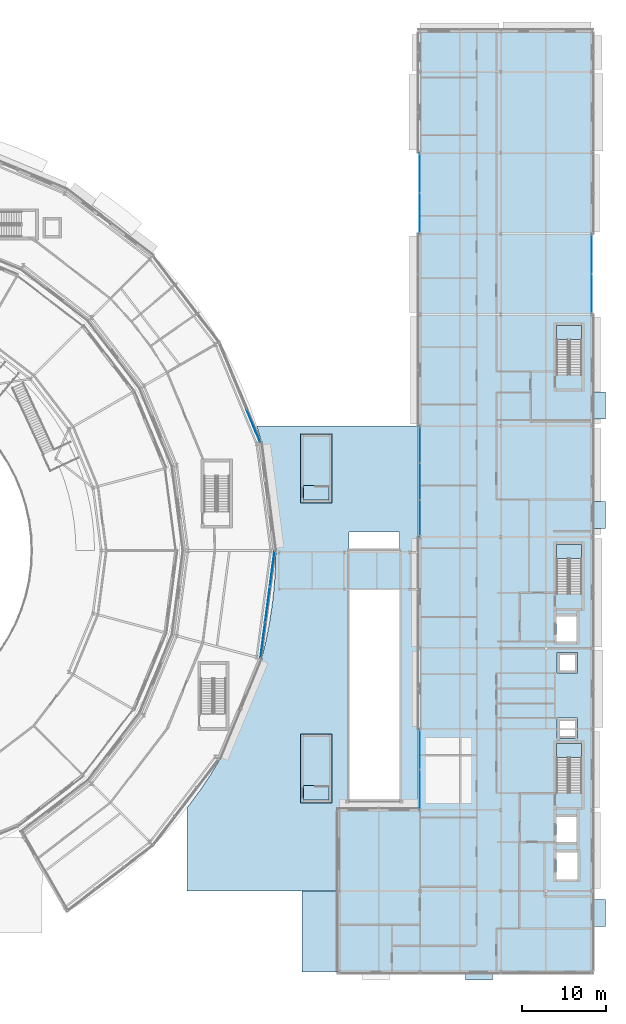
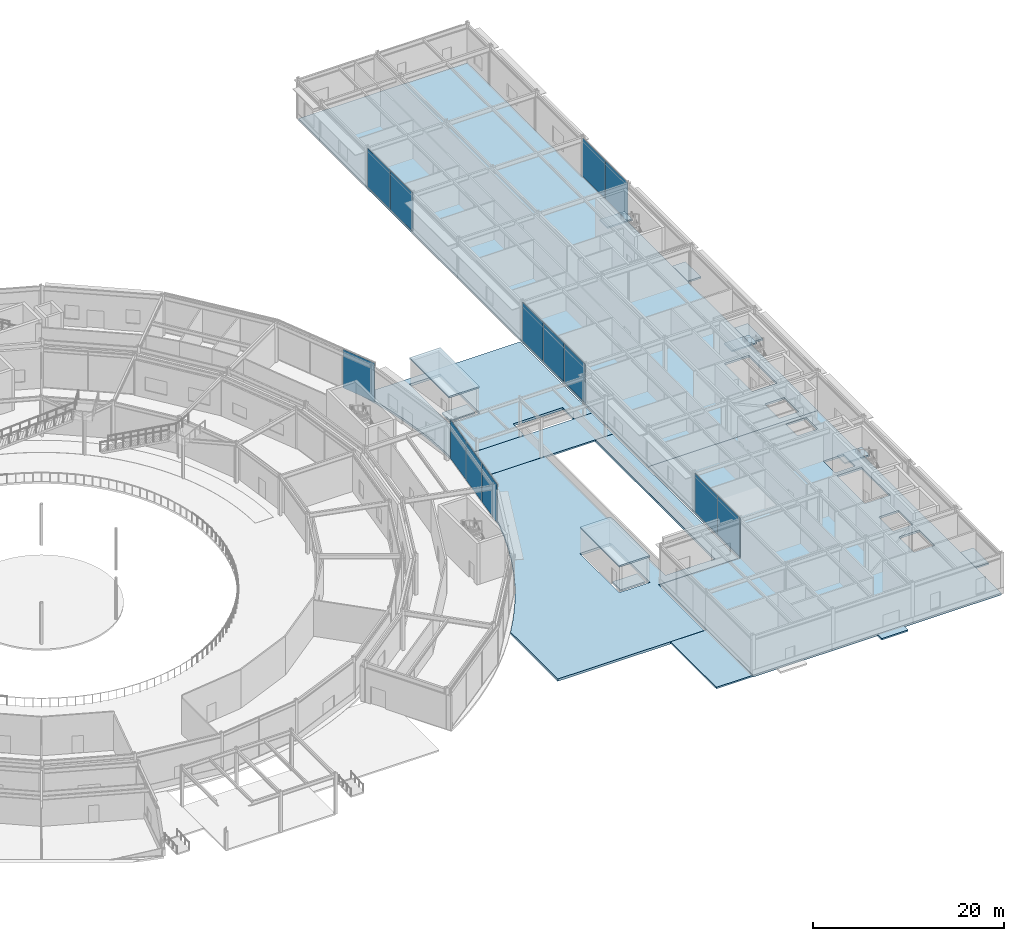
# One storey, part 114 of 168: 16 slabs, 13 plates, 9 elements without a shape of their own.
"""IFC4 building model written with IfcOpenShell, lengths in metres."""

from ifc_helpers import new_model, si_unit, direction, frame, origin, origin_2d, place, context, subcontext, project, spatial, polyline, rectangle, outline, extrude, material, layer, layer_set, type_object, element, aggregate, save


model = new_model("IFC4")

# Units and contexts
model_context = context("Model", 3, precision=1e-05, world=origin(), true_north=direction((0.0, 1.0)))
body_context = subcontext(model_context, "Body", "Model", "MODEL_VIEW")
ifc_project = project(units=[si_unit("LENGTHUNIT", "METRE"), si_unit("AREAUNIT", "SQUARE_METRE"), si_unit("VOLUMEUNIT", "CUBIC_METRE"), si_unit("PLANEANGLEUNIT", "RADIAN"), si_unit("MASSUNIT", "GRAM", prefix="KILO")], contexts=[model_context])

# Site, building, storey
site_placement = place(None, origin())
site = spatial("IfcSite", under=ifc_project, at=site_placement, CompositionType="ELEMENT")
building_placement = place(site_placement, origin())
building = spatial("IfcBuilding", under=site, at=building_placement, Name="Almandine Court Research Institute", CompositionType="ELEMENT")
storey_placement = place(building_placement, origin())
storey = spatial("IfcBuildingStorey", under=building, at=storey_placement, Name="L00", CompositionType="ELEMENT", Elevation=0.0)

# Curtain wall, plates
ifc_material_1 = material(Name="Unitised Curtain Wall Framing and Solar Glazing", Category="glass")
curtain_wall_type_1 = type_object("IfcCurtainWallType", Name="CW-CWJ-13", PredefinedType="USERDEFINED", material=ifc_material_1)
curtain_wall_1_placement = place(storey_placement, origin())
curtain_wall_1 = element("IfcCurtainWall", 1, at=curtain_wall_1_placement, inside=storey, type_object=curtain_wall_type_1, Name="L00 Wet Lab West Courtyard Jali Curtain Wall 1", ObjectType="SOLAR JALI SCREEN", PredefinedType="USERDEFINED")
ifc_material_2 = material(Name="Perforated Ochre Terracotta Jali Solar Cassette", Category="masonry")
ifc_layer_1 = layer(ifc_material_2, 0.035888671875)
ifc_layer_set_1 = layer_set([ifc_layer_1], Name="Perforated Ochre Terracotta Jali Solar Cassette")
plate_type = type_object("IfcPlateType", Name="CWPnl-JALI-36", PredefinedType="CURTAIN_PANEL", material=ifc_layer_set_1)
plate_1_placement = place(storey_placement, frame((153.60009765625, 27.6181640625, 0.06494140625), z_axis=(0.0, 0.0, 1.0), x_axis=(0.0, 1.0, 0.0)))
plate_1 = element("IfcPlate", 2, at=plate_1_placement, type_object=plate_type, Name="CWJ-13 panel 1.1", PredefinedType="CURTAIN_PANEL", context=body_context, shape_type="SweptSolid", body=[
    extrude(rectangle(XDim=4.698486328125, YDim=0.035888671875, at=origin_2d()), origin(), (0.0, 0.0, 1.0), 4.93994140625),
])
plate_2_placement = place(storey_placement, frame((153.60009765625, 32.3818359375, 0.06494140625), z_axis=(0.0, 0.0, 1.0), x_axis=(0.0, 1.0, 0.0)))
plate_2 = element("IfcPlate", 3, at=plate_2_placement, type_object=plate_type, Name="CWJ-13 panel 2.1", PredefinedType="CURTAIN_PANEL", context=body_context, shape_type="SweptSolid", body=[
    extrude(rectangle(XDim=4.698486328125, YDim=0.035888671875, at=origin_2d()), origin(), (0.0, 0.0, 1.0), 4.93994140625),
])
aggregate(curtain_wall_1, [plate_1, plate_2])

curtain_wall_type_2 = type_object("IfcCurtainWallType", Name="CW-CWJ-14", PredefinedType="USERDEFINED", material=ifc_material_1)
curtain_wall_2_placement = place(storey_placement, origin())
curtain_wall_2 = element("IfcCurtainWall", 4, at=curtain_wall_2_placement, inside=storey, type_object=curtain_wall_type_2, Name="L00 Wet Lab West Courtyard Jali Curtain Wall 4", ObjectType="SOLAR JALI SCREEN", PredefinedType="USERDEFINED")
plate_3_placement = place(storey_placement, frame((153.60009765625, 59.81884765625, 0.06494140625), z_axis=(0.0, 0.0, 1.0), x_axis=(0.0, 1.0, 0.0)))
plate_3 = element("IfcPlate", 5, at=plate_3_placement, type_object=plate_type, Name="CWJ-14 panel 1.1", PredefinedType="CURTAIN_PANEL", context=body_context, shape_type="SweptSolid", body=[
    extrude(rectangle(XDim=4.2998046875, YDim=0.035888671875, at=origin_2d()), origin(), (0.0, 0.0, 1.0), 4.93994140625),
])
plate_4_placement = place(storey_placement, frame((153.60009765625, 64.199951171875, 0.06494140625), z_axis=(0.0, 0.0, 1.0), x_axis=(0.0, 1.0, 0.0)))
plate_4 = element("IfcPlate", 6, at=plate_4_placement, type_object=plate_type, Name="CWJ-14 panel 2.1", PredefinedType="CURTAIN_PANEL", context=body_context, shape_type="SweptSolid", body=[
    extrude(rectangle(XDim=4.332275390625, YDim=0.035888671875, at=origin_2d()), origin(), (0.0, 0.0, 1.0), 4.93994140625),
])
plate_5_placement = place(storey_placement, frame((153.60009765625, 68.5810546875, 0.06494140625), z_axis=(0.0, 0.0, 1.0), x_axis=(0.0, 1.0, 0.0)))
plate_5 = element("IfcPlate", 7, at=plate_5_placement, type_object=plate_type, Name="CWJ-14 panel 3.1", PredefinedType="CURTAIN_PANEL", context=body_context, shape_type="SweptSolid", body=[
    extrude(rectangle(XDim=4.2998046875, YDim=0.035888671875, at=origin_2d()), origin(), (0.0, 0.0, 1.0), 4.93994140625),
])
aggregate(curtain_wall_2, [plate_3, plate_4, plate_5])

curtain_wall_3_placement = place(storey_placement, origin())
curtain_wall_3 = element("IfcCurtainWall", 8, at=curtain_wall_3_placement, inside=storey, type_object=curtain_wall_type_1, Name="L00 Wet Lab West Courtyard Jali Curtain Wall 7", ObjectType="SOLAR JALI SCREEN", PredefinedType="USERDEFINED")
plate_6_placement = place(storey_placement, frame((153.60009765625, 96.018310546875, 0.06494140625), z_axis=(0.0, 0.0, 1.0), x_axis=(0.0, 1.0, 0.0)))
plate_6 = element("IfcPlate", 9, at=plate_6_placement, type_object=plate_type, Name="CWJ-13 panel 1.1", PredefinedType="CURTAIN_PANEL", context=body_context, shape_type="SweptSolid", body=[
    extrude(rectangle(XDim=4.698486328125, YDim=0.035888671875, at=origin_2d()), origin(), (0.0, 0.0, 1.0), 4.93994140625),
])
plate_7_placement = place(storey_placement, frame((153.60009765625, 100.78173828125, 0.06494140625), z_axis=(0.0, 0.0, 1.0), x_axis=(0.0, 1.0, 0.0)))
plate_7 = element("IfcPlate", 10, at=plate_7_placement, type_object=plate_type, Name="CWJ-13 panel 2.1", PredefinedType="CURTAIN_PANEL", context=body_context, shape_type="SweptSolid", body=[
    extrude(rectangle(XDim=4.698486328125, YDim=0.035888671875, at=origin_2d()), origin(), (0.0, 0.0, 1.0), 4.93994140625),
])
aggregate(curtain_wall_3, [plate_6, plate_7])

curtain_wall_4_placement = place(storey_placement, origin())
curtain_wall_4 = element("IfcCurtainWall", 11, at=curtain_wall_4_placement, inside=storey, type_object=curtain_wall_type_1, Name="L00 Wet Lab East Jali Curtain Wall 8", ObjectType="SOLAR JALI SCREEN", PredefinedType="USERDEFINED")
plate_8_placement = place(storey_placement, frame((174.0, 91.181640625, 0.06494140625), z_axis=(0.0, 0.0, 1.0), x_axis=(0.0, -1.0, 0.0)))
plate_8 = element("IfcPlate", 12, at=plate_8_placement, type_object=plate_type, Name="CWJ-13 panel 1.1", PredefinedType="CURTAIN_PANEL", context=body_context, shape_type="SweptSolid", body=[
    extrude(rectangle(XDim=4.698486328125, YDim=0.035888671875, at=origin_2d()), origin(), (0.0, 0.0, 1.0), 4.93994140625),
])
plate_9_placement = place(storey_placement, frame((174.0, 86.418212890625, 0.06494140625), z_axis=(0.0, 0.0, 1.0), x_axis=(0.0, -1.0, 0.0)))
plate_9 = element("IfcPlate", 13, at=plate_9_placement, type_object=plate_type, Name="CWJ-13 panel 2.1", PredefinedType="CURTAIN_PANEL", context=body_context, shape_type="SweptSolid", body=[
    extrude(rectangle(XDim=4.698486328125, YDim=0.035888671875, at=origin_2d()), origin(), (0.0, 0.0, 1.0), 4.93994140625),
])
aggregate(curtain_wall_4, [plate_8, plate_9])

curtain_wall_type_3 = type_object("IfcCurtainWallType", Name="CW-CWJ-17", PredefinedType="USERDEFINED", material=ifc_material_1)
curtain_wall_5_placement = place(storey_placement, origin())
curtain_wall_5 = element("IfcCurtainWall", 14, at=curtain_wall_5_placement, inside=storey, type_object=curtain_wall_type_3, Name="L00 Stacked-Ring Drum Outer Solar Jali Screen 23", ObjectType="SOLAR JALI SCREEN", PredefinedType="USERDEFINED")
plate_10_placement = place(storey_placement, frame((136.07763671875, 53.85205078125, 0.06494140625), z_axis=(0.0, 0.0, 1.0), x_axis=(-0.130540891259, -0.991442926098, 0.0)))
plate_10 = element("IfcPlate", 15, at=plate_10_placement, type_object=plate_type, Name="CWJ-17 panel 1.1", PredefinedType="CURTAIN_PANEL", context=body_context, shape_type="SweptSolid", body=[
    extrude(rectangle(XDim=4.19482421875, YDim=0.035888671875, at=origin_2d()), origin(), (0.0, 0.0, 1.0), 4.93994140625),
])
plate_11_placement = place(storey_placement, frame((135.51953125, 49.612548828125, 0.06494140625), z_axis=(0.0, 0.0, 1.0), x_axis=(-0.130540891259, -0.991442926098, 0.0)))
plate_11 = element("IfcPlate", 16, at=plate_11_placement, type_object=plate_type, Name="CWJ-17 panel 2.1", PredefinedType="CURTAIN_PANEL", context=body_context, shape_type="SweptSolid", body=[
    extrude(rectangle(XDim=4.227294921875, YDim=0.035888671875, at=origin_2d()), origin(), (0.0, 0.0, 1.0), 4.93994140625),
])
plate_12_placement = place(storey_placement, frame((134.961181640625, 45.373046875, 0.06494140625), z_axis=(0.0, 0.0, 1.0), x_axis=(-0.130540891259, -0.991442926098, 0.0)))
plate_12 = element("IfcPlate", 17, at=plate_12_placement, type_object=plate_type, Name="CWJ-17 panel 3.1", PredefinedType="CURTAIN_PANEL", context=body_context, shape_type="SweptSolid", body=[
    extrude(rectangle(XDim=4.19482421875, YDim=0.035888671875, at=origin_2d()), origin(), (0.0, 0.0, 1.0), 4.93994140625),
])
aggregate(curtain_wall_5, [plate_10, plate_11, plate_12])

# Curtain wall, plate
curtain_wall_6_placement = place(storey_placement, origin())
curtain_wall_6 = element("IfcCurtainWall", 18, at=curtain_wall_6_placement, inside=storey, type_object=curtain_wall_type_3, Name="L00 Stacked-Ring Drum Outer Solar Jali Screen 01", ObjectType="SOLAR JALI SCREEN", PredefinedType="USERDEFINED")
plate_13_placement = place(storey_placement, frame((133.849365234375, 70.777099609375, 0.06494140625), z_axis=(0.0, 0.0, 1.0), x_axis=(0.382662689242, -0.923888124321, 0.0)))
plate_13 = element("IfcPlate", 19, at=plate_13_placement, type_object=plate_type, Name="CWJ-17 panel 3.1", PredefinedType="CURTAIN_PANEL", context=body_context, shape_type="SweptSolid", body=[
    extrude(rectangle(XDim=4.1953125, YDim=0.035888671875, at=origin_2d()), origin(), (0.0, 0.0, 1.0), 4.93994140625),
])
aggregate(curtain_wall_6, [plate_13])

# Slabs
ifc_material_3 = material(Name="Concrete C35/45", Category="concrete")
ifc_layer_2 = layer(ifc_material_3, 0.25)
ifc_layer_set_2 = layer_set([ifc_layer_2], Name="Concrete C35/45")
slab_type_1 = type_object("IfcSlabType", Name="Slab-BS-250", PredefinedType="BASESLAB", material=ifc_layer_set_2)
slab_1_placement = place(storey_placement, frame((0.0, 0.0, -0.25)))
element("IfcSlab", 20, at=slab_1_placement, inside=storey, type_object=slab_type_1, Name="L00 Volume 4 Wet Laboratory S Floor Slab", PredefinedType="BASESLAB", context=body_context, shape_type="SweptSolid", body=[
    extrude(outline(polyline([(144.0, 6.0), (174.0, 6.0), (174.0, 44.39990234375), (153.60009765625, 44.39990234375), (153.60009765625, 25.199951171875), (144.0, 25.199951171875), (144.0, 6.0)]), holes=[polyline([(172.800048828125, 27.25), (172.800048828125, 33.10009765625), (169.800048828125, 33.10009765625), (169.800048828125, 27.25), (172.800048828125, 27.25)]), polyline([(169.800048828125, 21.39990234375), (172.199951171875, 21.39990234375), (172.199951171875, 24.39990234375), (169.800048828125, 24.39990234375), (169.800048828125, 21.39990234375)]), polyline([(169.800048828125, 17.0), (172.300048828125, 17.0), (172.300048828125, 20.199951171875), (169.800048828125, 20.199951171875), (169.800048828125, 17.0)]), polyline([(169.8798828125, 33.679931640625), (172.320068359375, 33.679931640625), (172.320068359375, 36.1201171875), (169.8798828125, 36.1201171875), (169.8798828125, 33.679931640625)]), polyline([(169.8798828125, 41.47998046875), (172.320068359375, 41.47998046875), (172.320068359375, 43.919921875), (169.8798828125, 43.919921875), (169.8798828125, 41.47998046875)])]), origin(), (0.0, 0.0, 1.0), 0.25),
])
slab_2_placement = place(storey_placement, frame((0.0, 0.0, -0.25)))
element("IfcSlab", 21, at=slab_2_placement, inside=storey, type_object=slab_type_1, Name="L00 Volume 4 Wet Laboratory N Floor Slab", PredefinedType="BASESLAB", context=body_context, shape_type="SweptSolid", body=[
    extrude(outline(polyline([(153.60009765625, 44.39990234375), (174.0, 44.39990234375), (174.0, 117.60009765625), (153.60009765625, 117.60009765625), (153.60009765625, 44.39990234375)]), holes=[polyline([(172.800048828125, 50.85009765625), (172.800048828125, 56.699951171875), (169.800048828125, 56.699951171875), (169.800048828125, 50.85009765625), (172.800048828125, 50.85009765625)]), polyline([(169.800048828125, 45.199951171875), (172.199951171875, 45.199951171875), (172.199951171875, 48.199951171875), (169.800048828125, 48.199951171875), (169.800048828125, 45.199951171875)])]), origin(), (0.0, 0.0, 1.0), 0.25),
])
ifc_layer_3 = layer(ifc_material_3, 0.199951171875)
ifc_layer_set_3 = layer_set([ifc_layer_3], Name="Concrete C35/45")
slab_type_2 = type_object("IfcSlabType", Name="Slab-BS-EXT-200", PredefinedType="BASESLAB", material=ifc_layer_set_3)
slab_3_placement = place(storey_placement, frame((0.0, 0.0, -0.199951171875)))
element("IfcSlab", 22, at=slab_3_placement, inside=storey, type_object=slab_type_2, Name="L00 East Charbagh Covered Dalan Passage Walkway Slab", PredefinedType="BASESLAB", context=body_context, shape_type="SweptSolid", body=[
    extrude(outline(polyline([(136.89990234375, 51.39990234375), (153.300048828125, 51.39990234375), (153.300048828125, 55.800048828125), (136.89990234375, 55.800048828125), (136.89990234375, 51.39990234375)])), origin(), (0.0, 0.0, 1.0), 0.199951171875),
])
slab_4_placement = place(storey_placement, frame((0.0, 0.0, -0.199951171875)))
element("IfcSlab", 23, at=slab_4_placement, inside=storey, type_object=slab_type_2, Name="L00 Boulevard and Courtyard Paved Exit Apron APR-V4-DOCK", PredefinedType="BASESLAB", context=body_context, shape_type="SweptSolid", body=[
    extrude(outline(polyline([(143.69091796875, 15.5859375), (143.716064453125, 15.60009765625), (143.972900390625, 15.60009765625), (143.985107421875, 15.587890625), (143.98388671875, 6.007080078125), (143.972900390625, 6.0), (139.60693359375, 6.0009765625), (139.60009765625, 6.011962890625), (139.60107421875, 15.577880859375), (139.612060546875, 15.5849609375), (143.69091796875, 15.5859375)])), origin(), (0.0, 0.0, 1.0), 0.199951171875),
])
slab_5_placement = place(storey_placement, frame((0.0, 0.0, -0.199951171875)))
element("IfcSlab", 24, at=slab_5_placement, inside=storey, type_object=slab_type_2, Name="L00 Boulevard and Courtyard Paved Exit Apron PAD-V4-S2", PredefinedType="BASESLAB", context=body_context, shape_type="SweptSolid", body=[
    extrude(outline(polyline([(162.18798828125, 5.985107421875), (162.199951171875, 5.972900390625), (162.199951171875, 5.06201171875), (162.19091796875, 5.051025390625), (159.011962890625, 5.050048828125), (159.0009765625, 5.05908203125), (159.0, 5.972900390625), (159.009033203125, 5.98388671875), (162.18798828125, 5.985107421875)])), origin(), (0.0, 0.0, 1.0), 0.199951171875),
])
slab_6_placement = place(storey_placement, frame((0.0, 0.0, -0.199951171875)))
element("IfcSlab", 25, at=slab_6_placement, inside=storey, type_object=slab_type_2, Name="L00 Boulevard and Courtyard Paved Exit Apron PAD-V4-E1", PredefinedType="BASESLAB", context=body_context, shape_type="SweptSolid", body=[
    extrude(outline(polyline([(175.60009765625, 11.412109375), (175.587890625, 11.39990234375), (174.027099609375, 11.39990234375), (174.01611328125, 11.406005859375), (174.014892578125, 14.587890625), (174.02099609375, 14.59912109375), (175.587890625, 14.60009765625), (175.59912109375, 14.593994140625), (175.60009765625, 11.412109375)])), origin(), (0.0, 0.0, 1.0), 0.199951171875),
])
slab_7_placement = place(storey_placement, frame((0.0, 0.0, -0.199951171875)))
element("IfcSlab", 26, at=slab_7_placement, inside=storey, type_object=slab_type_2, Name="L00 Boulevard and Courtyard Paved Exit Apron PAD-V4-E6", PredefinedType="BASESLAB", context=body_context, shape_type="SweptSolid", body=[
    extrude(outline(polyline([(175.60009765625, 58.612060546875), (175.587890625, 58.60009765625), (174.027099609375, 58.60009765625), (174.01611328125, 58.60595703125), (174.014892578125, 61.7880859375), (174.02099609375, 61.799072265625), (175.587890625, 61.800048828125), (175.59912109375, 61.7939453125), (175.60009765625, 58.612060546875)])), origin(), (0.0, 0.0, 1.0), 0.199951171875),
])
slab_8_placement = place(storey_placement, frame((0.0, 0.0, -0.199951171875)))
element("IfcSlab", 27, at=slab_8_placement, inside=storey, type_object=slab_type_2, Name="L00 Boulevard and Courtyard Paved Exit Apron PAD-V4-E7", PredefinedType="BASESLAB", context=body_context, shape_type="SweptSolid", body=[
    extrude(outline(polyline([(175.60009765625, 71.612060546875), (175.587890625, 71.60009765625), (174.027099609375, 71.60009765625), (174.01611328125, 71.60595703125), (174.014892578125, 74.7880859375), (174.02099609375, 74.799072265625), (175.587890625, 74.800048828125), (175.59912109375, 74.7939453125), (175.60009765625, 71.612060546875)])), origin(), (0.0, 0.0, 1.0), 0.199951171875),
])

# Stair, slab
stair_type = type_object("IfcStairType", Name="Stair-Core-30R", PredefinedType="HALF_TURN_STAIR", material=ifc_material_3)
stair_1_placement = place(storey_placement, origin())
stair_1 = element("IfcStair", 28, at=stair_1_placement, inside=storey, type_object=stair_type, Name="L00 Wet Lab South High-Rise Core Stair", PredefinedType="HALF_TURN_STAIR")
ifc_layer_4 = layer(ifc_material_3, 0.179931640625)
ifc_layer_set_4 = layer_set([ifc_layer_4], Name="Concrete C35/45")
slab_type_3 = type_object("IfcSlabType", Name="Slab-Landing-180", PredefinedType="LANDING", material=ifc_layer_set_4)
slab_9_placement = place(storey_placement, frame((0.0, 0.0, 2.445068359375)))
slab_9 = element("IfcSlab", 29, at=slab_9_placement, type_object=slab_type_3, Name="ST-07 landing 1", PredefinedType="LANDING", context=body_context, shape_type="SweptSolid", body=[
    extrude(outline(polyline([(172.800048828125, 31.449951171875), (172.800048828125, 33.10009765625), (169.800048828125, 33.10009765625), (169.800048828125, 31.449951171875), (172.800048828125, 31.449951171875)])), origin(), (0.0, 0.0, 1.0), 0.179931640625),
])
aggregate(stair_1, [slab_9])

stair_2_placement = place(storey_placement, origin())
stair_2 = element("IfcStair", 30, at=stair_2_placement, inside=storey, type_object=stair_type, Name="L00 Wet Lab Central High-Rise Core Stair", PredefinedType="HALF_TURN_STAIR")
slab_10_placement = place(storey_placement, frame((0.0, 0.0, 2.445068359375)))
slab_10 = element("IfcSlab", 31, at=slab_10_placement, type_object=slab_type_3, Name="ST-08 landing 1", PredefinedType="LANDING", context=body_context, shape_type="SweptSolid", body=[
    extrude(outline(polyline([(172.800048828125, 55.050048828125), (172.800048828125, 56.699951171875), (169.800048828125, 56.699951171875), (169.800048828125, 55.050048828125), (172.800048828125, 55.050048828125)])), origin(), (0.0, 0.0, 1.0), 0.179931640625),
])
aggregate(stair_2, [slab_10])

stair_3_placement = place(storey_placement, origin())
stair_3 = element("IfcStair", 32, at=stair_3_placement, inside=storey, type_object=stair_type, Name="L00 Wet Lab North Exit Stair", PredefinedType="HALF_TURN_STAIR")
slab_11_placement = place(storey_placement, frame((0.0, 0.0, 2.445068359375)))
slab_11 = element("IfcSlab", 33, at=slab_11_placement, type_object=slab_type_3, Name="ST-13 landing 1", PredefinedType="LANDING", context=body_context, shape_type="SweptSolid", body=[
    extrude(outline(polyline([(172.800048828125, 81.050048828125), (172.800048828125, 82.699951171875), (169.800048828125, 82.699951171875), (169.800048828125, 81.050048828125), (172.800048828125, 81.050048828125)])), origin(), (0.0, 0.0, 1.0), 0.179931640625),
])
aggregate(stair_3, [slab_11])

# Slabs
ifc_layer_5 = layer(ifc_material_3, 0.199951171875)
ifc_layer_set_5 = layer_set([ifc_layer_5], Name="Concrete C35/45")
slab_type_4 = type_object("IfcSlabType", Name="Slab-PHF-200", PredefinedType="FLOOR", material=ifc_layer_set_5)
slab_12_placement = place(storey_placement, frame((0.0, 0.0, -0.199951171875)))
element("IfcSlab", 34, at=slab_12_placement, inside=storey, type_object=slab_type_4, Name="L00 ST-11 Penthouse Landing Slab", PredefinedType="FLOOR", context=body_context, shape_type="SweptSolid", body=[
    extrude(outline(polyline([(142.800048828125, 26.39990234375), (142.800048828125, 28.110107421875), (139.800048828125, 28.110107421875), (139.800048828125, 26.39990234375), (142.800048828125, 26.39990234375)])), origin(), (0.0, 0.0, 1.0), 0.199951171875),
])
slab_13_placement = place(storey_placement, frame((0.0, 0.0, -0.199951171875)))
element("IfcSlab", 35, at=slab_13_placement, inside=storey, type_object=slab_type_4, Name="L00 ST-12 Penthouse Landing Slab", PredefinedType="FLOOR", context=body_context, shape_type="SweptSolid", body=[
    extrude(outline(polyline([(142.800048828125, 62.0), (142.800048828125, 63.7099609375), (139.800048828125, 63.7099609375), (139.800048828125, 62.0), (142.800048828125, 62.0)])), origin(), (0.0, 0.0, 1.0), 0.199951171875),
])
ifc_layer_6 = layer(ifc_material_3, 0.300048828125)
ifc_layer_set_6 = layer_set([ifc_layer_6], Name="Concrete C35/45")
slab_type_5 = type_object("IfcSlabType", Name="Slab-PLZ-300", PredefinedType="FLOOR", material=ifc_layer_set_6)
slab_14_placement = place(storey_placement, frame((0.0, 0.0, -0.300048828125)))
element("IfcSlab", 36, at=slab_14_placement, inside=storey, type_object=slab_type_5, Name="L00 East Charbagh Courtyard Structural Deck Over Basement", PredefinedType="FLOOR", context=body_context, shape_type="SweptSolid", body=[
    extrude(outline(polyline([(126.282958984375, 25.85693359375), (127.56005859375, 27.59912109375), (128.760009765625, 29.39599609375), (129.881103515625, 31.242919921875), (130.919921875, 33.135986328125), (131.8759765625, 35.073974609375), (132.74609375, 37.051025390625), (133.529052734375, 39.06494140625), (134.222900390625, 41.111083984375), (134.827880859375, 43.18408203125), (135.342041015625, 45.281982421875), (135.762939453125, 47.40087890625), (136.092041015625, 49.537109375), (136.326904296875, 51.68505859375), (136.468017578125, 53.841064453125), (136.514892578125, 56.0), (136.468017578125, 58.159912109375), (136.326904296875, 60.31591796875), (136.092041015625, 62.462890625), (135.762939453125, 64.597900390625), (135.342041015625, 66.718017578125), (134.827880859375, 68.81591796875), (134.2548828125, 70.7939453125), (134.264892578125, 70.800048828125), (153.294921875, 70.798095703125), (153.300048828125, 70.7880859375), (153.297119140625, 55.819091796875), (153.2880859375, 55.81494140625), (151.2119140625, 55.81494140625), (151.202880859375, 55.819091796875), (151.199951171875, 58.199951171875), (145.199951171875, 58.199951171875), (145.199951171875, 55.826904296875), (145.19091796875, 55.81591796875), (136.89111328125, 55.81201171875), (136.885009765625, 55.800048828125), (136.885009765625, 51.39990234375), (136.888916015625, 51.389892578125), (136.89990234375, 51.385009765625), (145.18798828125, 51.385009765625), (145.198974609375, 51.3759765625), (145.199951171875, 26.35009765625), (151.199951171875, 26.35009765625), (151.199951171875, 51.3740234375), (151.2119140625, 51.385009765625), (153.2880859375, 51.385009765625), (153.298095703125, 51.3798828125), (153.298095703125, 25.22509765625), (153.2880859375, 25.219970703125), (143.699951171875, 25.219970703125), (143.699951171875, 15.612060546875), (143.69091796875, 15.60107421875), (126.011962890625, 15.60009765625), (126.0, 15.612060546875), (126.0, 25.5), (126.282958984375, 25.85693359375)]), holes=[polyline([(139.43505859375, 34.2529296875), (139.43603515625, 26.0439453125), (139.449951171875, 26.034912109375), (143.156005859375, 26.035888671875), (143.1650390625, 26.050048828125), (143.1640625, 34.256103515625), (143.14990234375, 34.264892578125), (139.449951171875, 34.264892578125), (139.43505859375, 34.2529296875)]), polyline([(139.43505859375, 69.85302734375), (139.43603515625, 61.64404296875), (139.449951171875, 61.635009765625), (143.156005859375, 61.635986328125), (143.1650390625, 61.64990234375), (143.1640625, 69.85595703125), (143.14990234375, 69.864990234375), (139.449951171875, 69.864990234375), (139.43505859375, 69.85302734375)])]), origin(), (0.0, 0.0, 1.0), 0.300048828125),
])
ifc_layer_7 = layer(ifc_material_3, 0.199951171875)
ifc_layer_set_7 = layer_set([ifc_layer_7], Name="Concrete C35/45")
slab_type_6 = type_object("IfcSlabType", Name="Slab-RF-200", PredefinedType="ROOF", material=ifc_layer_set_7)
slab_15_placement = place(storey_placement, frame((0.0, 0.0, 3.199951171875)))
element("IfcSlab", 37, at=slab_15_placement, inside=storey, type_object=slab_type_6, Name="L00 ST-11 Stair Penthouse Roof Slab", PredefinedType="ROOF", context=body_context, shape_type="SweptSolid", body=[
    extrude(outline(polyline([(139.449951171875, 26.050048828125), (143.14990234375, 26.050048828125), (143.14990234375, 34.25), (139.449951171875, 34.25), (139.449951171875, 26.050048828125)])), origin(), (0.0, 0.0, 1.0), 0.199951171875),
])
slab_16_placement = place(storey_placement, frame((0.0, 0.0, 3.199951171875)))
element("IfcSlab", 38, at=slab_16_placement, inside=storey, type_object=slab_type_6, Name="L00 ST-12 Stair Penthouse Roof Slab", PredefinedType="ROOF", context=body_context, shape_type="SweptSolid", body=[
    extrude(outline(polyline([(139.449951171875, 61.64990234375), (143.14990234375, 61.64990234375), (143.14990234375, 69.85009765625), (139.449951171875, 69.85009765625), (139.449951171875, 61.64990234375)])), origin(), (0.0, 0.0, 1.0), 0.199951171875),
])

save(model, "model.ifc")
